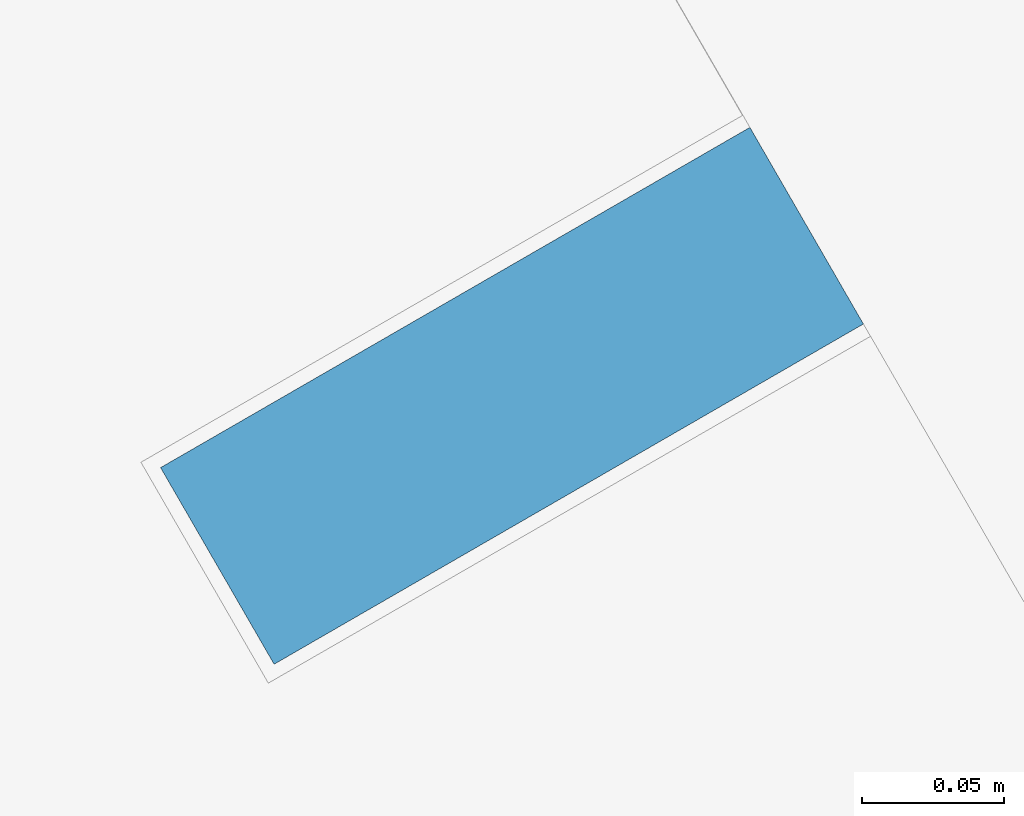
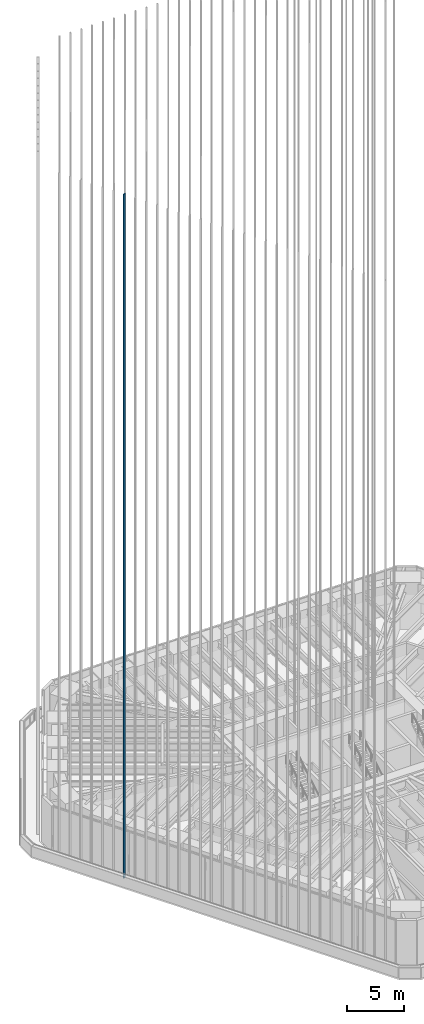
# One storey, part 59 of 228: 1 member, 1 element without a shape of its own.
"""IFC4 building model written with IfcOpenShell, lengths in metres."""

from ifc_helpers import new_model, si_unit, direction, frame, origin, origin_2d, place, context, subcontext, project, spatial, rectangle, extrude, material, material_profile, profile_set, type_object, element, aggregate, save


model = new_model("IFC4")

# Units and contexts
model_context = context("Model", 3, precision=1e-05, world=origin(), true_north=direction((0.0, 1.0)))
body_context = subcontext(model_context, "Body", "Model", "MODEL_VIEW")
ifc_project = project(units=[si_unit("LENGTHUNIT", "METRE"), si_unit("AREAUNIT", "SQUARE_METRE"), si_unit("VOLUMEUNIT", "CUBIC_METRE"), si_unit("PLANEANGLEUNIT", "RADIAN"), si_unit("MASSUNIT", "GRAM", prefix="KILO")], contexts=[model_context])

# Site, building, storey
site_placement = place(None, origin())
site = spatial("IfcSite", under=ifc_project, at=site_placement, CompositionType="ELEMENT")
building_placement = place(site_placement, origin())
building = spatial("IfcBuilding", under=site, at=building_placement, Name="Sandreach Pilgrim Tower", CompositionType="ELEMENT")
storey_placement = place(building_placement, frame((0.0, 0.0, 178.199951171875)))
storey = spatial("IfcBuildingStorey", under=building, at=storey_placement, Name="L44", CompositionType="ELEMENT", Elevation=178.199951171875)

# Curtain wall, member
ifc_material_1 = material(Name="Aluminium framed curtain wall", Category="aluminium")
curtain_wall_type = type_object("IfcCurtainWallType", Name="Upper hotel tower curtain wall", PredefinedType="NOTDEFINED", material=ifc_material_1)
curtain_wall_placement = place(storey_placement, origin())
curtain_wall = element("IfcCurtainWall", 1, at=curtain_wall_placement, inside=storey, type_object=curtain_wall_type, Name="CW-3 L44 SW", PredefinedType="NOTDEFINED")
ifc_material_2 = material(Name="Extruded terracotta on aluminium core", Category="masonry")
ifc_material_profile = material_profile(ifc_material_2, rectangle(XDim=0.080078125, YDim=0.239990234375, at=origin_2d()), Name="TBW 80X240")
ifc_profile_set = profile_set([ifc_material_profile], Name="Extruded terracotta on aluminium core")
member_type = type_object("IfcMemberType", Name="Terracotta baguette west", PredefinedType="USERDEFINED", material=ifc_profile_set)
member_placement = place(storey_placement, frame((-23.64794921875, -2.20068359375, 0.0), z_axis=(0.0, 0.0, 1.0), x_axis=(-0.5, 0.866025403784, 0.0)))
member = element("IfcMember", 2, at=member_placement, type_object=member_type, Name="Baguette Z3 SW25", ObjectType="BAGUETTE", PredefinedType="USERDEFINED", context=body_context, shape_type="SweptSolid", body=[
    extrude(rectangle(XDim=0.080078125, YDim=0.239990234375, at=origin_2d()), origin(), (0.0, 0.0, 1.0), 73.239990234375),
])
aggregate(curtain_wall, [member])

save(model, "model.ifc")
